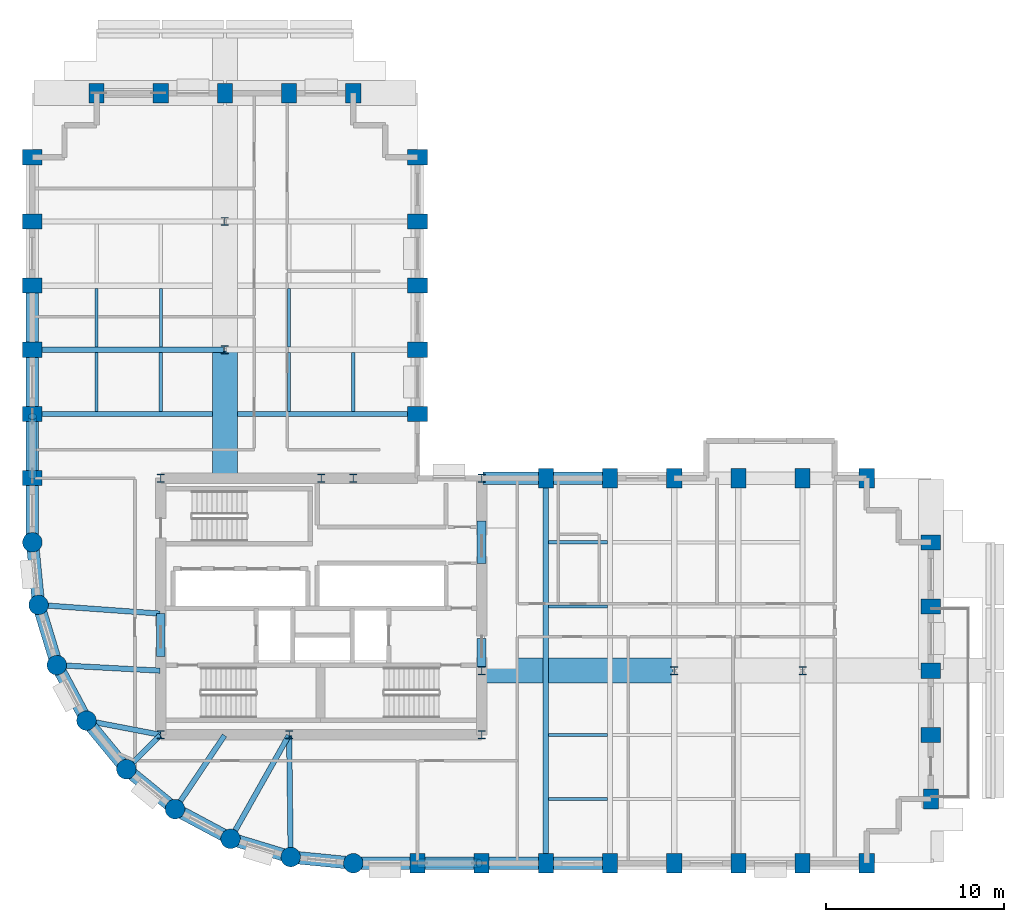
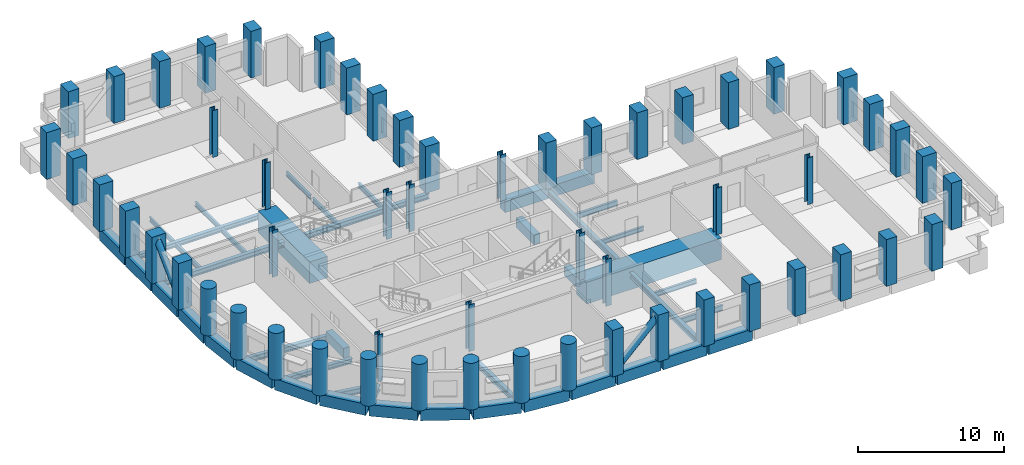
# One storey, part 1 of 9: 56 columns, 44 beams, 2 members.
"""IFC4 building model written with IfcOpenShell, lengths in metres."""

from ifc_helpers import new_model, si_unit, direction, frame, origin, origin_2d, place, context, subcontext, project, spatial, rectangle, circle, hollow_circle, i_section, extrude, material, material_profile, profile_set, type_object, element, save


model = new_model("IFC4")

# Units and contexts
model_context = context("Model", 3, precision=1e-05, world=origin(), true_north=direction((0.0, 1.0)))
body_context = subcontext(model_context, "Body", "Model", "MODEL_VIEW")
ifc_project = project(units=[si_unit("LENGTHUNIT", "METRE"), si_unit("AREAUNIT", "SQUARE_METRE"), si_unit("VOLUMEUNIT", "CUBIC_METRE"), si_unit("PLANEANGLEUNIT", "RADIAN"), si_unit("MASSUNIT", "GRAM", prefix="KILO")], contexts=[model_context])

# Site, building, storey
site_placement = place(None, origin())
site = spatial("IfcSite", under=ifc_project, at=site_placement, CompositionType="ELEMENT")
building_placement = place(site_placement, origin())
building = spatial("IfcBuilding", under=site, at=building_placement, Name="Solnavia Interchange Tower", CompositionType="ELEMENT")
storey_placement = place(building_placement, frame((0.0, 0.0, 80.10009765625)))
storey = spatial("IfcBuildingStorey", under=building, at=storey_placement, Name="L19", CompositionType="ELEMENT", Elevation=80.10009765625)

# Columns
ifc_material_1 = material(Name="Concrete C50/60", Category="concrete")
ifc_material_profile_1 = material_profile(ifc_material_1, rectangle(XDim=0.85009765625, YDim=1.10009765625, at=origin_2d()), Name="RC 1100x850")
ifc_profile_set_1 = profile_set([ifc_material_profile_1], Name="Concrete C50/60")
column_type_1 = type_object("IfcColumnType", Name="Col-RC-1100x850", PredefinedType="COLUMN", material=ifc_profile_set_1)
for number, where, z_axis, x_axis, name in (
    (1, (7.199951171875, 25.199951171875, 0.0), (0.0, 0.0, 1.0), (0.0, 1.0, 0.0), "COL-L19-02 Tower perim y column"),
    (2, (7.199951171875, 28.800048828125, 0.0), (0.0, 0.0, 1.0), (0.0, 1.0, 0.0), "COL-L19-03 Tower perim y column"),
    (3, (7.199951171875, 32.39990234375, 0.0), (0.0, 0.0, 1.0), (0.0, 1.0, 0.0), "COL-L19-04 Tower perim y column"),
    (4, (7.199951171875, 36.0, 0.0), (0.0, 0.0, 1.0), (0.0, 1.0, 0.0), "COL-L19-05 Tower perim y column"),
    (5, (7.199951171875, 39.60009765625, 0.0), (0.0, 0.0, 1.0), (0.0, 1.0, 0.0), "COL-L19-06 Tower perim y column"),
    (6, (7.199951171875, 43.199951171875, 0.0), (0.0, 0.0, 1.0), (0.0, 1.0, 0.0), "COL-L19-07 Tower corner column"),
    (7, (10.800048828125, 46.800048828125, 0.0), (0.0, 0.0, 1.0), (1.0, 0.0, 0.0), "COL-L19-11 Tower corner column"),
    (8, (14.39990234375, 46.800048828125, 0.0), (0.0, 0.0, 1.0), (1.0, 0.0, 0.0), "COL-L19-15 Tower perim x column"),
    (9, (18.0, 46.800048828125, 0.0), (0.0, 0.0, 1.0), (1.0, 0.0, 0.0), "COL-L19-19 Tower perim x column"),
    (10, (21.60009765625, 46.800048828125, 0.0), (0.0, 0.0, 1.0), (1.0, 0.0, 0.0), "COL-L19-22 Tower perim x column"),
    (11, (25.199951171875, 46.800048828125, 0.0), (0.0, 0.0, 1.0), (1.0, 0.0, 0.0), "COL-L19-27 Tower corner column"),
    (12, (28.800048828125, 3.60009765625, 0.0), (0.0, 0.0, 1.0), (1.0, 0.0, 0.0), "COL-L19-28 Tower perim x column"),
    (13, (28.800048828125, 28.800048828125, 0.0), (0.0, 0.0, 1.0), (0.0, 1.0, 0.0), "COL-L19-29 Tower perim y column"),
    (14, (28.800048828125, 32.39990234375, 0.0), (0.0, 0.0, 1.0), (0.0, 1.0, 0.0), "COL-L19-30 Tower perim y column"),
    (15, (28.800048828125, 36.0, 0.0), (0.0, 0.0, 1.0), (0.0, 1.0, 0.0), "COL-L19-31 Tower perim y column"),
    (16, (28.800048828125, 39.60009765625, 0.0), (0.0, 0.0, 1.0), (0.0, 1.0, 0.0), "COL-L19-32 Tower perim y column"),
    (17, (28.800048828125, 43.199951171875, 0.0), (0.0, 0.0, 1.0), (0.0, 1.0, 0.0), "COL-L19-33 Tower corner column"),
    (18, (32.39990234375, 3.60009765625, 0.0), (0.0, 0.0, 1.0), (1.0, 0.0, 0.0), "COL-L19-34 Tower perim x column"),
    (19, (36.0, 3.60009765625, 0.0), (0.0, 0.0, 1.0), (1.0, 0.0, 0.0), "COL-L19-38 Tower perim x column"),
    (20, (36.0, 25.199951171875, 0.0), (0.0, 0.0, 1.0), (1.0, 0.0, 0.0), "COL-L19-39 Tower perim x column"),
    (21, (39.60009765625, 3.60009765625, 0.0), (0.0, 0.0, 1.0), (1.0, 0.0, 0.0), "COL-L19-40 Tower perim x column"),
    (22, (39.60009765625, 25.199951171875, 0.0), (0.0, 0.0, 1.0), (1.0, 0.0, 0.0), "COL-L19-41 Tower perim x column"),
    (23, (43.199951171875, 3.60009765625, 0.0), (0.0, 0.0, 1.0), (1.0, 0.0, 0.0), "COL-L19-42 Tower perim x column"),
    (24, (43.199951171875, 25.199951171875, 0.0), (0.0, 0.0, 1.0), (1.0, 0.0, 0.0), "COL-L19-44 Tower perim x column"),
    (25, (46.800048828125, 3.60009765625, 0.0), (0.0, 0.0, 1.0), (1.0, 0.0, 0.0), "COL-L19-45 Tower perim x column"),
    (26, (46.800048828125, 25.199951171875, 0.0), (0.0, 0.0, 1.0), (1.0, 0.0, 0.0), "COL-L19-46 Tower perim x column"),
    (27, (50.39990234375, 3.60009765625, 0.0), (0.0, 0.0, 1.0), (1.0, 0.0, 0.0), "COL-L19-47 Tower perim x column"),
    (28, (50.39990234375, 25.199951171875, 0.0), (0.0, 0.0, 1.0), (1.0, 0.0, 0.0), "COL-L19-49 Tower perim x column"),
    (29, (54.0, 3.60009765625, 0.0), (0.0, 0.0, 1.0), (1.0, 0.0, 0.0), "COL-L19-50 Tower corner column"),
    (30, (54.0, 25.199951171875, 0.0), (0.0, 0.0, 1.0), (1.0, 0.0, 0.0), "COL-L19-51 Tower corner column"),
    (31, (57.60009765625, 7.199951171875, 0.0), (0.0, 0.0, 1.0), (1.0, 0.0, 0.0), "COL-L19-52 Tower corner column"),
    (32, (57.60009765625, 10.800048828125, 0.0), (0.0, 0.0, 1.0), (0.0, 1.0, 0.0), "COL-L19-53 Tower perim y column"),
    (33, (57.60009765625, 14.39990234375, 0.0), (0.0, 0.0, 1.0), (0.0, 1.0, 0.0), "COL-L19-54 Tower perim y column"),
    (34, (57.60009765625, 18.0, 0.0), (0.0, 0.0, 1.0), (0.0, 1.0, 0.0), "COL-L19-55 Tower perim y column"),
    (35, (57.60009765625, 21.60009765625, 0.0), (0.0, 0.0, 1.0), (0.0, 1.0, 0.0), "COL-L19-56 Tower corner column"),
):
    element("IfcColumn", number, at=place(storey_placement, frame(where, z_axis=z_axis, x_axis=x_axis)), inside=storey, type_object=column_type_1, Name=name, PredefinedType="COLUMN", context=body_context, shape_type="SweptSolid", body=[
        extrude(rectangle(XDim=0.85009765625, YDim=1.10009765625, at=origin_2d()), origin(), (0.0, 0.0, 1.0), 3.89990234375),
    ])
ifc_material_2 = material(Name="Concrete C60/75", Category="concrete")
ifc_material_profile_2 = material_profile(ifc_material_2, circle(Radius=0.550048828125, at=origin_2d()), Name="RC D1100")
ifc_profile_set_2 = profile_set([ifc_material_profile_2], Name="Concrete C60/75")
column_type_2 = type_object("IfcColumnType", Name="Col-RC-D1100", PredefinedType="COLUMN", material=ifc_profile_set_2)
for number, where, z_axis, x_axis, name in (
    (36, (7.199951171875, 21.60009765625, 0.0), (0.0, 0.0, 1.0), (1.0, 0.0, 0.0), "COL-L19-01 Tower drum column"),
    (37, (7.5458984375, 18.087890625, 0.0), (0.0, 0.0, 1.0), (1.0, 0.0, 0.0), "COL-L19-08 Tower drum column"),
    (38, (8.570068359375, 14.7119140625, 0.0), (0.0, 0.0, 1.0), (1.0, 0.0, 0.0), "COL-L19-09 Tower drum column"),
    (39, (10.23388671875, 11.60009765625, 0.0), (0.0, 0.0, 1.0), (1.0, 0.0, 0.0), "COL-L19-10 Tower drum column"),
    (40, (12.471923828125, 8.8720703125, 0.0), (0.0, 0.0, 1.0), (1.0, 0.0, 0.0), "COL-L19-12 Tower drum column"),
    (41, (15.199951171875, 6.634033203125, 0.0), (0.0, 0.0, 1.0), (1.0, 0.0, 0.0), "COL-L19-16 Tower drum column"),
    (42, (18.31201171875, 4.969970703125, 0.0), (0.0, 0.0, 1.0), (1.0, 0.0, 0.0), "COL-L19-20 Tower drum column"),
    (43, (21.68798828125, 3.946044921875, 0.0), (0.0, 0.0, 1.0), (1.0, 0.0, 0.0), "COL-L19-23 Tower drum column"),
    (44, (25.199951171875, 3.60009765625, 0.0), (0.0, 0.0, 1.0), (1.0, 0.0, 0.0), "COL-L19-25 Tower drum column"),
):
    element("IfcColumn", number, at=place(storey_placement, frame(where, z_axis=z_axis, x_axis=x_axis)), inside=storey, type_object=column_type_2, Name=name, PredefinedType="COLUMN", context=body_context, shape_type="SweptSolid", body=[
        extrude(circle(Radius=0.550048828125, at=origin_2d()), origin(), (0.0, 0.0, 1.0), 3.89990234375),
    ])
ifc_material_3 = material(Name="Steel S355", Category="steel")
ifc_material_profile_3 = material_profile(ifc_material_3, i_section(OverallWidth=0.424072265625, OverallDepth=0.467041015625, WebThickness=0.032958984375, FlangeThickness=0.053466796875, FilletRadius=0.014892578125, at=origin_2d()), Name="HD 400x509")
ifc_profile_set_3 = profile_set([ifc_material_profile_3], Name="Steel S355")
column_type_3 = type_object("IfcColumnType", Name="Col-Steel-HD400x509", PredefinedType="COLUMN", material=ifc_profile_set_3)
for number, where, z_axis, x_axis, name in (
    (45, (14.39990234375, 10.800048828125, 0.0), (0.0, 0.0, 1.0), (1.0, 0.0, 0.0), "COL-L19-13 Tower interior column"),
    (46, (14.39990234375, 25.199951171875, 0.0), (0.0, 0.0, 1.0), (1.0, 0.0, 0.0), "COL-L19-14 Tower interior column"),
    (47, (18.0, 32.39990234375, 0.0), (0.0, 0.0, 1.0), (1.0, 0.0, 0.0), "COL-L19-17 Tower interior column"),
    (48, (18.0, 39.60009765625, 0.0), (0.0, 0.0, 1.0), (1.0, 0.0, 0.0), "COL-L19-18 Tower interior column"),
    (49, (21.60009765625, 10.800048828125, 0.0), (0.0, 0.0, 1.0), (1.0, 0.0, 0.0), "COL-L19-21 Tower interior column"),
    (50, (23.39990234375, 25.199951171875, 0.0), (0.0, 0.0, 1.0), (1.0, 0.0, 0.0), "COL-L19-24 Tower interior column"),
    (51, (25.199951171875, 25.199951171875, 0.0), (0.0, 0.0, 1.0), (1.0, 0.0, 0.0), "COL-L19-26 Tower interior column"),
    (52, (32.39990234375, 10.800048828125, 0.0), (0.0, 0.0, 1.0), (1.0, 0.0, 0.0), "COL-L19-35 Tower interior column"),
    (53, (32.39990234375, 14.39990234375, 0.0), (0.0, 0.0, 1.0), (1.0, 0.0, 0.0), "COL-L19-36 Tower interior column"),
    (54, (32.39990234375, 25.199951171875, 0.0), (0.0, 0.0, 1.0), (1.0, 0.0, 0.0), "COL-L19-37 Tower interior column"),
    (55, (43.199951171875, 14.39990234375, 0.0), (0.0, 0.0, 1.0), (1.0, 0.0, 0.0), "COL-L19-43 Tower interior column"),
    (56, (50.39990234375, 14.39990234375, 0.0), (0.0, 0.0, 1.0), (1.0, 0.0, 0.0), "COL-L19-48 Tower interior column"),
):
    element("IfcColumn", number, at=place(storey_placement, frame(where, z_axis=z_axis, x_axis=x_axis)), inside=storey, type_object=column_type_3, Name=name, PredefinedType="COLUMN", context=body_context, shape_type="SweptSolid", body=[
        extrude(i_section(OverallWidth=0.424072265625, OverallDepth=0.467041015625, WebThickness=0.032958984375, FlangeThickness=0.053466796875, FilletRadius=0.014892578125, at=origin_2d()), origin(), (0.0, 0.0, 1.0), 3.89990234375),
    ])

# Beams
ifc_material_profile_4 = material_profile(ifc_material_1, rectangle(XDim=0.5, YDim=0.800048828125, at=origin_2d()), Name="RC 500x800")
ifc_profile_set_4 = profile_set([ifc_material_profile_4], Name="Concrete C50/60")
beam_type_1 = type_object("IfcBeamType", Name="Beam-Coupling-RC500x800", PredefinedType="LINTEL", material=ifc_profile_set_4)
beam_1_placement = place(storey_placement, frame((14.39990234375, 15.199951171875, -0.400146484375), z_axis=(0.0, 1.0, 0.0), x_axis=(-1.0, 0.0, 0.0)))
element("IfcBeam", 57, at=beam_1_placement, inside=storey, type_object=beam_type_1, Name="CPB-L19-W1 Core coupling lintel beam", PredefinedType="LINTEL", context=body_context, shape_type="SweptSolid", body=[
    extrude(rectangle(XDim=0.5, YDim=0.800048828125, at=origin_2d()), origin(), (0.0, 0.0, 1.0), 2.400146484375),
])
beam_2_placement = place(storey_placement, frame((32.39990234375, 14.60009765625, -0.400146484375), z_axis=(0.0, 1.0, 0.0), x_axis=(-1.0, 0.0, 0.0)))
element("IfcBeam", 58, at=beam_2_placement, inside=storey, type_object=beam_type_1, Name="CPB-L19-E1 Core coupling lintel beam", PredefinedType="LINTEL", context=body_context, shape_type="SweptSolid", body=[
    extrude(rectangle(XDim=0.5, YDim=0.800048828125, at=origin_2d()), origin(), (0.0, 0.0, 1.0), 1.599853515625),
])
beam_3_placement = place(storey_placement, frame((32.39990234375, 20.39990234375, -0.400146484375), z_axis=(0.0, 1.0, 0.0), x_axis=(-1.0, 0.0, 0.0)))
element("IfcBeam", 59, at=beam_3_placement, inside=storey, type_object=beam_type_1, Name="CPB-L19-E2 Core coupling lintel beam", PredefinedType="LINTEL", context=body_context, shape_type="SweptSolid", body=[
    extrude(rectangle(XDim=0.5, YDim=0.800048828125, at=origin_2d()), origin(), (0.0, 0.0, 1.0), 2.400146484375),
])
ifc_material_4 = material(Name="Steel S460", Category="steel")
ifc_material_profile_5 = material_profile(ifc_material_4, i_section(OverallWidth=0.300048828125, OverallDepth=0.449951171875, WebThickness=0.013916015625, FlangeThickness=0.02587890625, FilletRadius=0.027099609375, at=origin_2d()), Name="HEB 450")
ifc_profile_set_5 = profile_set([ifc_material_profile_5], Name="Steel S460")
beam_type_2 = type_object("IfcBeamType", Name="Beam-Girder-HEB450", PredefinedType="BEAM", material=ifc_profile_set_5)
beam_4_placement = place(storey_placement, frame((36.0, 3.679931640625, -0.545166015625), z_axis=(0.0, 1.0, 0.0), x_axis=(-1.0, 0.0, 0.0)))
element("IfcBeam", 60, at=beam_4_placement, inside=storey, type_object=beam_type_2, Name="GRD-L19-EW01 East wing primary floor girder", PredefinedType="BEAM", context=body_context, shape_type="SweptSolid", body=[
    extrude(i_section(OverallWidth=0.300048828125, OverallDepth=0.449951171875, WebThickness=0.013916015625, FlangeThickness=0.02587890625, FilletRadius=0.027099609375, at=origin_2d()), origin(), (0.0, 0.0, 1.0), 21.440185546875),
])
beam_5_placement = place(storey_placement, frame((10.3125, 11.5849609375, -0.545166015625), z_axis=(0.982057527796, -0.188581579428, 0.0), x_axis=(0.188581579428, 0.982057527796, 0.0)))
element("IfcBeam", 61, at=beam_5_placement, inside=storey, type_object=beam_type_2, Name="GRD-L19-DR16 Drum radial floor girder", PredefinedType="BEAM", context=body_context, shape_type="SweptSolid", body=[
    extrude(i_section(OverallWidth=0.300048828125, OverallDepth=0.449951171875, WebThickness=0.013916015625, FlangeThickness=0.02587890625, FilletRadius=0.027099609375, at=origin_2d()), origin(), (0.0, 0.0, 1.0), 4.1220703125),
])
beam_6_placement = place(storey_placement, frame((18.351318359375, 5.039794921875, -0.545166015625), z_axis=(0.491243158486, 0.871022479182, 0.0), x_axis=(-0.871022479182, 0.491243158486, 0.0)))
element("IfcBeam", 62, at=beam_6_placement, inside=storey, type_object=beam_type_2, Name="GRD-L19-DR19 Drum radial floor girder", PredefinedType="BEAM", context=body_context, shape_type="SweptSolid", body=[
    extrude(i_section(OverallWidth=0.300048828125, OverallDepth=0.449951171875, WebThickness=0.013916015625, FlangeThickness=0.02587890625, FilletRadius=0.027099609375, at=origin_2d()), origin(), (0.0, 0.0, 1.0), 6.5732421875),
])
ifc_material_profile_6 = material_profile(ifc_material_3, i_section(OverallWidth=0.169921875, OverallDepth=0.360107421875, WebThickness=0.008056640625, FlangeThickness=0.0126953125, FilletRadius=0.01806640625, at=origin_2d()), Name="IPE 360")
ifc_profile_set_6 = profile_set([ifc_material_profile_6], Name="Steel S355")
beam_type_3 = type_object("IfcBeamType", Name="Beam-Joist-IPE360", PredefinedType="JOIST", material=ifc_profile_set_6)
for number, where, z_axis, x_axis, name in (
    (63, (36.14990234375, 18.0, -0.5), (1.0, 0.0, 0.0), (0.0, 1.0, 0.0), "JST-L19-E09 East wing secondary joist"),
    (64, (10.800048828125, 32.550048828125, -0.5), (0.0, 1.0, 0.0), (-1.0, 0.0, 0.0), "JST-L19-N18 North wing secondary joist"),
    (65, (14.39990234375, 32.550048828125, -0.5), (0.0, 1.0, 0.0), (-1.0, 0.0, 0.0), "JST-L19-N21 North wing secondary joist"),
    (66, (21.60009765625, 32.550048828125, -0.5), (0.0, 1.0, 0.0), (-1.0, 0.0, 0.0), "JST-L19-N24 North wing secondary joist"),
):
    element("IfcBeam", number, at=place(storey_placement, frame(where, z_axis=z_axis, x_axis=x_axis)), inside=storey, type_object=beam_type_3, Name=name, PredefinedType="JOIST", context=body_context, shape_type="SweptSolid", body=[
        extrude(i_section(OverallWidth=0.169921875, OverallDepth=0.360107421875, WebThickness=0.008056640625, FlangeThickness=0.0126953125, FilletRadius=0.01806640625, at=origin_2d()), origin(), (0.0, 0.0, 1.0), 3.300048828125),
    ])
ifc_material_profile_7 = material_profile(ifc_material_3, i_section(OverallWidth=0.179931640625, OverallDepth=0.39990234375, WebThickness=0.008544921875, FlangeThickness=0.013427734375, FilletRadius=0.02099609375, at=origin_2d()), Name="IPE 400")
ifc_profile_set_7 = profile_set([ifc_material_profile_7], Name="Steel S355")
beam_type_4 = type_object("IfcBeamType", Name="Beam-Joist-IPE400", PredefinedType="JOIST", material=ifc_profile_set_7)
for number, where, z_axis, x_axis, name in (
    (67, (36.14990234375, 10.800048828125, -0.52001953125), (1.0, 0.0, 0.0), (0.0, 1.0, 0.0), "JST-L19-E05 East wing secondary joist"),
    (68, (10.800048828125, 28.949951171875, -0.52001953125), (0.0, 1.0, 0.0), (-1.0, 0.0, 0.0), "JST-L19-N17 North wing secondary joist"),
    (69, (14.39990234375, 28.949951171875, -0.52001953125), (0.0, 1.0, 0.0), (-1.0, 0.0, 0.0), "JST-L19-N20 North wing secondary joist"),
    (70, (21.60009765625, 28.949951171875, -0.52001953125), (0.0, 1.0, 0.0), (-1.0, 0.0, 0.0), "JST-L19-N23 North wing secondary joist"),
    (71, (25.199951171875, 28.949951171875, -0.52001953125), (0.0, 1.0, 0.0), (-1.0, 0.0, 0.0), "JST-L19-N26 North wing secondary joist"),
):
    element("IfcBeam", number, at=place(storey_placement, frame(where, z_axis=z_axis, x_axis=x_axis)), inside=storey, type_object=beam_type_4, Name=name, PredefinedType="JOIST", context=body_context, shape_type="SweptSolid", body=[
        extrude(i_section(OverallWidth=0.179931640625, OverallDepth=0.39990234375, WebThickness=0.008544921875, FlangeThickness=0.013427734375, FilletRadius=0.02099609375, at=origin_2d()), origin(), (0.0, 0.0, 1.0), 3.300048828125),
    ])
ifc_material_profile_8 = material_profile(ifc_material_3, i_section(OverallWidth=0.18994140625, OverallDepth=0.449951171875, WebThickness=0.009521484375, FlangeThickness=0.0146484375, FilletRadius=0.02099609375, at=origin_2d()), Name="IPE 450")
ifc_profile_set_8 = profile_set([ifc_material_profile_8], Name="Steel S355")
beam_type_5 = type_object("IfcBeamType", Name="Beam-Joist-IPE450", PredefinedType="JOIST", material=ifc_profile_set_8)
for number, where, z_axis, x_axis, name in (
    (72, (36.14990234375, 7.199951171875, -0.545166015625), (1.0, 0.0, 0.0), (0.0, 1.0, 0.0), "JST-L19-E01 East wing secondary joist"),
    (73, (36.14990234375, 21.60009765625, -0.545166015625), (1.0, 0.0, 0.0), (0.0, 1.0, 0.0), "JST-L19-E13 East wing secondary joist"),
):
    element("IfcBeam", number, at=place(storey_placement, frame(where, z_axis=z_axis, x_axis=x_axis)), inside=storey, type_object=beam_type_5, Name=name, PredefinedType="JOIST", context=body_context, shape_type="SweptSolid", body=[
        extrude(i_section(OverallWidth=0.18994140625, OverallDepth=0.449951171875, WebThickness=0.009521484375, FlangeThickness=0.0146484375, FilletRadius=0.02099609375, at=origin_2d()), origin(), (0.0, 0.0, 1.0), 3.300048828125),
    ])
ifc_material_profile_9 = material_profile(ifc_material_3, i_section(OverallWidth=0.300048828125, OverallDepth=0.389892578125, WebThickness=0.010986328125, FlangeThickness=0.01904296875, FilletRadius=0.027099609375, at=origin_2d()), Name="HEA 400")
ifc_profile_set_9 = profile_set([ifc_material_profile_9], Name="Steel S355")
beam_type_6 = type_object("IfcBeamType", Name="Beam-Primary-HEA400", PredefinedType="BEAM", material=ifc_profile_set_9)
beam_7_placement = place(storey_placement, frame((7.280029296875, 32.39990234375, -0.51513671875), z_axis=(1.0, 0.0, 0.0), x_axis=(0.0, 1.0, 0.0)))
element("IfcBeam", 74, at=beam_7_placement, inside=storey, type_object=beam_type_6, Name="GRD-L19-NW09 North wing primary floor girder", PredefinedType="BEAM", context=body_context, shape_type="SweptSolid", body=[
    extrude(i_section(OverallWidth=0.300048828125, OverallDepth=0.389892578125, WebThickness=0.010986328125, FlangeThickness=0.01904296875, FilletRadius=0.027099609375, at=origin_2d()), origin(), (0.0, 0.0, 1.0), 10.639892578125),
])
beam_8_placement = place(storey_placement, frame((8.64990234375, 14.707763671875, -0.51513671875), z_axis=(0.998570371303, -0.053452909696, 0.0), x_axis=(0.053452909696, 0.998570371303, 0.0)))
element("IfcBeam", 75, at=beam_8_placement, inside=storey, type_object=beam_type_6, Name="GRD-L19-DR15 Drum radial floor girder", PredefinedType="BEAM", context=body_context, shape_type="SweptSolid", body=[
    extrude(i_section(OverallWidth=0.300048828125, OverallDepth=0.389892578125, WebThickness=0.010986328125, FlangeThickness=0.01904296875, FilletRadius=0.027099609375, at=origin_2d()), origin(), (0.0, 0.0, 1.0), 5.71826171875),
])
beam_9_placement = place(storey_placement, frame((15.24462890625, 6.700439453125, -0.51513671875), z_axis=(0.557835474219, 0.829951555033, 0.0), x_axis=(-0.829951555033, 0.557835474219, 0.0)))
element("IfcBeam", 76, at=beam_9_placement, inside=storey, type_object=beam_type_6, Name="GRD-L19-DR18 Drum radial floor girder", PredefinedType="BEAM", context=body_context, shape_type="SweptSolid", body=[
    extrude(i_section(OverallWidth=0.300048828125, OverallDepth=0.389892578125, WebThickness=0.010986328125, FlangeThickness=0.01904296875, FilletRadius=0.027099609375, at=origin_2d()), origin(), (0.0, 0.0, 1.0), 4.899658203125),
])
ifc_material_profile_10 = material_profile(ifc_material_3, i_section(OverallWidth=0.300048828125, OverallDepth=0.43994140625, WebThickness=0.011474609375, FlangeThickness=0.02099609375, FilletRadius=0.027099609375, at=origin_2d()), Name="HEA 450")
ifc_profile_set_10 = profile_set([ifc_material_profile_10], Name="Steel S355")
beam_type_7 = type_object("IfcBeamType", Name="Beam-Primary-HEA450", PredefinedType="BEAM", material=ifc_profile_set_10)
beam_10_placement = place(storey_placement, frame((7.280029296875, 28.800048828125, -0.5400390625), z_axis=(1.0, 0.0, 0.0), x_axis=(0.0, 1.0, 0.0)))
element("IfcBeam", 77, at=beam_10_placement, inside=storey, type_object=beam_type_7, Name="GRD-L19-NW08 North wing primary floor girder", PredefinedType="BEAM", context=body_context, shape_type="SweptSolid", body=[
    extrude(i_section(OverallWidth=0.300048828125, OverallDepth=0.43994140625, WebThickness=0.011474609375, FlangeThickness=0.02099609375, FilletRadius=0.027099609375, at=origin_2d()), origin(), (0.0, 0.0, 1.0), 21.43994140625),
])
beam_11_placement = place(storey_placement, frame((7.625732421875, 18.082275390625, -0.5400390625), z_axis=(0.99747482749, -0.071020902015, 0.0), x_axis=(0.071020902015, 0.99747482749, 0.0)))
element("IfcBeam", 78, at=beam_11_placement, inside=storey, type_object=beam_type_7, Name="GRD-L19-DR14 Drum radial floor girder", PredefinedType="BEAM", context=body_context, shape_type="SweptSolid", body=[
    extrude(i_section(OverallWidth=0.300048828125, OverallDepth=0.43994140625, WebThickness=0.011474609375, FlangeThickness=0.02099609375, FilletRadius=0.027099609375, at=origin_2d()), origin(), (0.0, 0.0, 1.0), 6.75146484375),
])
beam_12_placement = place(storey_placement, frame((12.528564453125, 8.9287109375, -0.5400390625), z_axis=(0.707106781187, 0.707106781187, 0.0), x_axis=(-0.707106781187, 0.707106781187, 0.0)))
element("IfcBeam", 79, at=beam_12_placement, inside=storey, type_object=beam_type_7, Name="GRD-L19-DR17 Drum radial floor girder", PredefinedType="BEAM", context=body_context, shape_type="SweptSolid", body=[
    extrude(i_section(OverallWidth=0.300048828125, OverallDepth=0.43994140625, WebThickness=0.011474609375, FlangeThickness=0.02099609375, FilletRadius=0.027099609375, at=origin_2d()), origin(), (0.0, 0.0, 1.0), 2.6064453125),
])
beam_13_placement = place(storey_placement, frame((21.68701171875, 4.02587890625, -0.5400390625), z_axis=(-0.01283293513, 0.999917654498, 0.0), x_axis=(-0.999917654498, -0.01283293513, 0.0)))
element("IfcBeam", 80, at=beam_13_placement, inside=storey, type_object=beam_type_7, Name="GRD-L19-DR20 Drum radial floor girder", PredefinedType="BEAM", context=body_context, shape_type="SweptSolid", body=[
    extrude(i_section(OverallWidth=0.300048828125, OverallDepth=0.43994140625, WebThickness=0.011474609375, FlangeThickness=0.02099609375, FilletRadius=0.027099609375, at=origin_2d()), origin(), (0.0, 0.0, 1.0), 6.734619140625),
])
ifc_material_profile_11 = material_profile(ifc_material_1, rectangle(XDim=0.699951171875, YDim=0.949951171875, at=origin_2d()), Name="RC 700x950")
ifc_profile_set_11 = profile_set([ifc_material_profile_11], Name="Concrete C50/60")
beam_type_8 = type_object("IfcBeamType", Name="Beam-Spandrel-RC700x950", PredefinedType="SPANDREL", material=ifc_profile_set_11)
beam_14_placement = place(storey_placement, frame((7.207763671875, 21.5205078125, -0.47509765625), z_axis=(0.098040038117, -0.995182471171, 0.0), x_axis=(0.995182471171, 0.098040038117, 0.0)))
element("IfcBeam", 81, at=beam_14_placement, inside=storey, type_object=beam_type_8, Name="SPB-L19-01 Framed-tube perimeter spandrel beam", PredefinedType="SPANDREL", context=body_context, shape_type="SweptSolid", body=[
    extrude(rectangle(XDim=0.699951171875, YDim=0.949951171875, at=origin_2d()), origin(), (0.0, 0.0, 1.0), 3.369140625),
])
beam_15_placement = place(storey_placement, frame((7.569091796875, 18.011474609375, -0.47509765625), z_axis=(0.290319223646, -0.956929855518, 0.0), x_axis=(0.956929855518, 0.290319223646, 0.0)))
element("IfcBeam", 82, at=beam_15_placement, inside=storey, type_object=beam_type_8, Name="SPB-L19-02 Framed-tube perimeter spandrel beam", PredefinedType="SPANDREL", context=body_context, shape_type="SweptSolid", body=[
    extrude(rectangle(XDim=0.699951171875, YDim=0.949951171875, at=origin_2d()), origin(), (0.0, 0.0, 1.0), 3.367919921875),
])
beam_16_placement = place(storey_placement, frame((8.607666015625, 14.6416015625, -0.47509765625), z_axis=(0.471509422952, -0.881861023102, 0.0), x_axis=(0.881861023102, 0.471509422952, 0.0)))
element("IfcBeam", 83, at=beam_16_placement, inside=storey, type_object=beam_type_8, Name="SPB-L19-03 Framed-tube perimeter spandrel beam", PredefinedType="SPANDREL", context=body_context, shape_type="SweptSolid", body=[
    extrude(rectangle(XDim=0.699951171875, YDim=0.949951171875, at=origin_2d()), origin(), (0.0, 0.0, 1.0), 3.369140625),
])
for number, where, z_axis, x_axis, name in (
    (84, (10.28466796875, 11.5380859375, -0.47509765625), (0.634298841675, -0.773087950656, 0.0), (0.773087950656, 0.634298841675, 0.0), "SPB-L19-04 Framed-tube perimeter spandrel beam"),
    (85, (12.53369140625, 8.8212890625, -0.47509765625), (0.773152644452, -0.634219984214, 0.0), (0.634219984214, 0.773152644452, 0.0), "SPB-L19-05 Framed-tube perimeter spandrel beam"),
):
    element("IfcBeam", number, at=place(storey_placement, frame(where, z_axis=z_axis, x_axis=x_axis)), inside=storey, type_object=beam_type_8, Name=name, PredefinedType="SPANDREL", context=body_context, shape_type="SweptSolid", body=[
        extrude(rectangle(XDim=0.699951171875, YDim=0.949951171875, at=origin_2d()), origin(), (0.0, 0.0, 1.0), 3.36865234375),
    ])
beam_17_placement = place(storey_placement, frame((15.2705078125, 6.59619140625, -0.47509765625), z_axis=(0.881875044348, -0.47148319817, 0.0), x_axis=(0.47148319817, 0.881875044348, 0.0)))
element("IfcBeam", 86, at=beam_17_placement, inside=storey, type_object=beam_type_8, Name="SPB-L19-06 Framed-tube perimeter spandrel beam", PredefinedType="SPANDREL", context=body_context, shape_type="SweptSolid", body=[
    extrude(rectangle(XDim=0.699951171875, YDim=0.949951171875, at=origin_2d()), origin(), (0.0, 0.0, 1.0), 3.368896484375),
])
beam_18_placement = place(storey_placement, frame((18.388671875, 4.94677734375, -0.47509765625), z_axis=(0.956943884494, -0.290272978297, 0.0), x_axis=(0.290272978297, 0.956943884494, 0.0)))
element("IfcBeam", 87, at=beam_18_placement, inside=storey, type_object=beam_type_8, Name="SPB-L19-07 Framed-tube perimeter spandrel beam", PredefinedType="SPANDREL", context=body_context, shape_type="SweptSolid", body=[
    extrude(rectangle(XDim=0.699951171875, YDim=0.949951171875, at=origin_2d()), origin(), (0.0, 0.0, 1.0), 3.36767578125),
])
beam_19_placement = place(storey_placement, frame((21.767578125, 3.938232421875, -0.47509765625), z_axis=(0.995181774609, -0.098047108501, 0.0), x_axis=(0.098047108501, 0.995181774609, 0.0)))
element("IfcBeam", 88, at=beam_19_placement, inside=storey, type_object=beam_type_8, Name="SPB-L19-08 Framed-tube perimeter spandrel beam", PredefinedType="SPANDREL", context=body_context, shape_type="SweptSolid", body=[
    extrude(rectangle(XDim=0.699951171875, YDim=0.949951171875, at=origin_2d()), origin(), (0.0, 0.0, 1.0), 3.368896484375),
])
beam_20_placement = place(storey_placement, frame((25.280029296875, 3.60009765625, -0.47509765625), z_axis=(1.0, 0.0, 0.0), x_axis=(0.0, 1.0, 0.0)))
element("IfcBeam", 89, at=beam_20_placement, inside=storey, type_object=beam_type_8, Name="SPB-L19-09 Framed-tube perimeter spandrel beam", PredefinedType="SPANDREL", context=body_context, shape_type="SweptSolid", body=[
    extrude(rectangle(XDim=0.699951171875, YDim=0.949951171875, at=origin_2d()), origin(), (0.0, 0.0, 1.0), 3.43994140625),
])
beam_21_placement = place(storey_placement, frame((28.8798828125, 3.60009765625, -0.47509765625), z_axis=(1.0, 0.0, 0.0), x_axis=(0.0, 1.0, 0.0)))
element("IfcBeam", 90, at=beam_21_placement, inside=storey, type_object=beam_type_8, Name="SPB-L19-10 Framed-tube perimeter spandrel beam", PredefinedType="SPANDREL", context=body_context, shape_type="SweptSolid", body=[
    extrude(rectangle(XDim=0.699951171875, YDim=0.949951171875, at=origin_2d()), origin(), (0.0, 0.0, 1.0), 3.440185546875),
])
for number, where, z_axis, x_axis, name in (
    (91, (32.47998046875, 3.60009765625, -0.47509765625), (1.0, 0.0, 0.0), (0.0, 1.0, 0.0), "SPB-L19-11 Framed-tube perimeter spandrel beam"),
    (92, (36.080078125, 3.60009765625, -0.47509765625), (1.0, 0.0, 0.0), (0.0, 1.0, 0.0), "SPB-L19-12 Framed-tube perimeter spandrel beam"),
    (93, (39.52001953125, 25.199951171875, -0.47509765625), (-1.0, 0.0, 0.0), (0.0, -1.0, 0.0), "SPB-L19-21 Framed-tube perimeter spandrel beam"),
    (94, (35.919921875, 25.199951171875, -0.47509765625), (-1.0, 0.0, 0.0), (0.0, -1.0, 0.0), "SPB-L19-22 Framed-tube perimeter spandrel beam"),
    (95, (7.199951171875, 35.919921875, -0.47509765625), (0.0, -1.0, 0.0), (1.0, 0.0, 0.0), "SPB-L19-29 Framed-tube perimeter spandrel beam"),
):
    element("IfcBeam", number, at=place(storey_placement, frame(where, z_axis=z_axis, x_axis=x_axis)), inside=storey, type_object=beam_type_8, Name=name, PredefinedType="SPANDREL", context=body_context, shape_type="SweptSolid", body=[
        extrude(rectangle(XDim=0.699951171875, YDim=0.949951171875, at=origin_2d()), origin(), (0.0, 0.0, 1.0), 3.43994140625),
    ])
beam_22_placement = place(storey_placement, frame((7.199951171875, 32.320068359375, -0.47509765625), z_axis=(0.0, -1.0, 0.0), x_axis=(1.0, 0.0, 0.0)))
element("IfcBeam", 96, at=beam_22_placement, inside=storey, type_object=beam_type_8, Name="SPB-L19-30 Framed-tube perimeter spandrel beam", PredefinedType="SPANDREL", context=body_context, shape_type="SweptSolid", body=[
    extrude(rectangle(XDim=0.699951171875, YDim=0.949951171875, at=origin_2d()), origin(), (0.0, 0.0, 1.0), 3.440185546875),
])
beam_23_placement = place(storey_placement, frame((7.199951171875, 28.719970703125, -0.47509765625), z_axis=(0.0, -1.0, 0.0), x_axis=(1.0, 0.0, 0.0)))
element("IfcBeam", 97, at=beam_23_placement, inside=storey, type_object=beam_type_8, Name="SPB-L19-31 Framed-tube perimeter spandrel beam", PredefinedType="SPANDREL", context=body_context, shape_type="SweptSolid", body=[
    extrude(rectangle(XDim=0.699951171875, YDim=0.949951171875, at=origin_2d()), origin(), (0.0, 0.0, 1.0), 3.43994140625),
])
beam_24_placement = place(storey_placement, frame((7.199951171875, 25.1201171875, -0.47509765625), z_axis=(0.0, -1.0, 0.0), x_axis=(1.0, 0.0, 0.0)))
element("IfcBeam", 98, at=beam_24_placement, inside=storey, type_object=beam_type_8, Name="SPB-L19-32 Framed-tube perimeter spandrel beam", PredefinedType="SPANDREL", context=body_context, shape_type="SweptSolid", body=[
    extrude(rectangle(XDim=0.699951171875, YDim=0.949951171875, at=origin_2d()), origin(), (0.0, 0.0, 1.0), 3.440185546875),
])
ifc_material_profile_12 = material_profile(ifc_material_2, rectangle(XDim=1.39990234375, YDim=1.800048828125, at=origin_2d()), Name="RC 1400x1800")
ifc_profile_set_12 = profile_set([ifc_material_profile_12], Name="Concrete C60/75")
beam_type_9 = type_object("IfcBeamType", Name="Beam-Transfer-RC1400x1800", PredefinedType="BEAM", material=ifc_profile_set_12)
beam_25_placement = place(storey_placement, frame((32.47998046875, 14.39990234375, -0.900146484375), z_axis=(1.0, 0.0, 0.0), x_axis=(0.0, 1.0, 0.0)))
element("IfcBeam", 99, at=beam_25_placement, inside=storey, type_object=beam_type_9, Name="TRB-L19-01 East setback spine transfer girder", PredefinedType="BEAM", context=body_context, shape_type="SweptSolid", body=[
    extrude(rectangle(XDim=1.39990234375, YDim=1.800048828125, at=origin_2d()), origin(), (0.0, 0.0, 1.0), 10.64013671875),
])
beam_26_placement = place(storey_placement, frame((18.0, 25.280029296875, -0.900146484375), z_axis=(0.0, 1.0, 0.0), x_axis=(-1.0, 0.0, 0.0)))
element("IfcBeam", 100, at=beam_26_placement, inside=storey, type_object=beam_type_9, Name="TRB-L19-10 North setback spine transfer girder", PredefinedType="BEAM", context=body_context, shape_type="SweptSolid", body=[
    extrude(rectangle(XDim=1.39990234375, YDim=1.800048828125, at=origin_2d()), origin(), (0.0, 0.0, 1.0), 7.0400390625),
])

# Members
ifc_material_profile_13 = material_profile(ifc_material_4, hollow_circle(Radius=0.25390625, WallThickness=0.02490234375, at=origin_2d()), Name="CHS 508x25")
ifc_profile_set_13 = profile_set([ifc_material_profile_13], Name="Steel S460")
member_type = type_object("IfcMemberType", Name="Brace-Perim-CHS508", PredefinedType="BRACE", material=ifc_profile_set_13)
member_1_placement = place(storey_placement, frame((28.93994140625, 3.60009765625, 0.179931640625), z_axis=(0.710311792477, 0.0, 0.703887176661), x_axis=(0.0, 1.0, 0.0)))
element("IfcMember", 101, at=member_1_placement, inside=storey, type_object=member_type, Name="BRC-L19-01 Perimeter tube diagonal brace", PredefinedType="BRACE", context=body_context, shape_type="SweptSolid", body=[
    extrude(hollow_circle(Radius=0.25390625, WallThickness=0.02490234375, at=origin_2d()), origin(), (0.0, 0.0, 1.0), 4.674072265625),
])
member_2_placement = place(storey_placement, frame((7.199951171875, 25.340087890625, 0.179931640625), z_axis=(0.0, 0.710285911997, 0.703913292401), x_axis=(-1.0, 0.0, 0.0)))
element("IfcMember", 102, at=member_2_placement, inside=storey, type_object=member_type, Name="BRC-L19-02 Perimeter tube diagonal brace", PredefinedType="BRACE", context=body_context, shape_type="SweptSolid", body=[
    extrude(hollow_circle(Radius=0.25390625, WallThickness=0.02490234375, at=origin_2d()), origin(), (0.0, 0.0, 1.0), 4.673828125),
])

save(model, "model.ifc")
